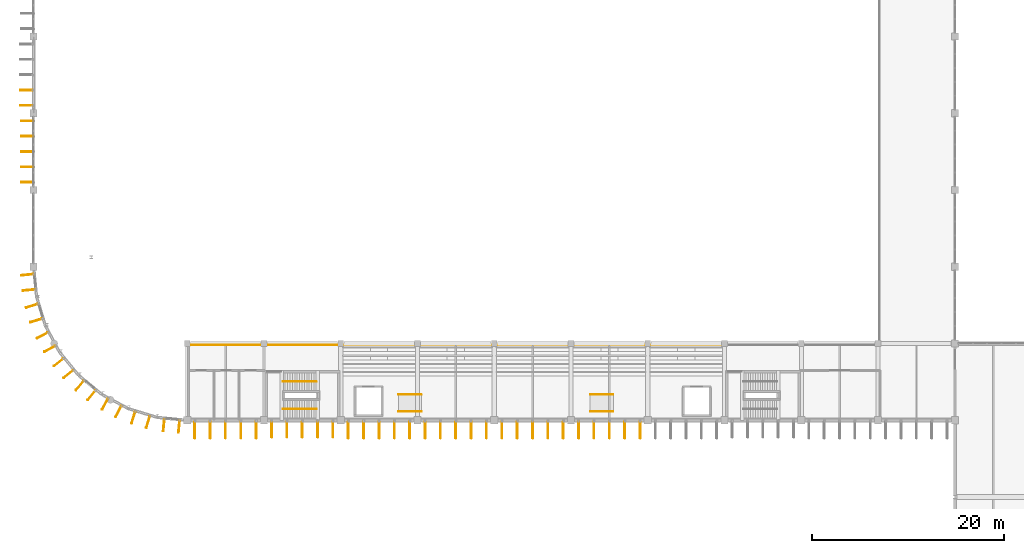
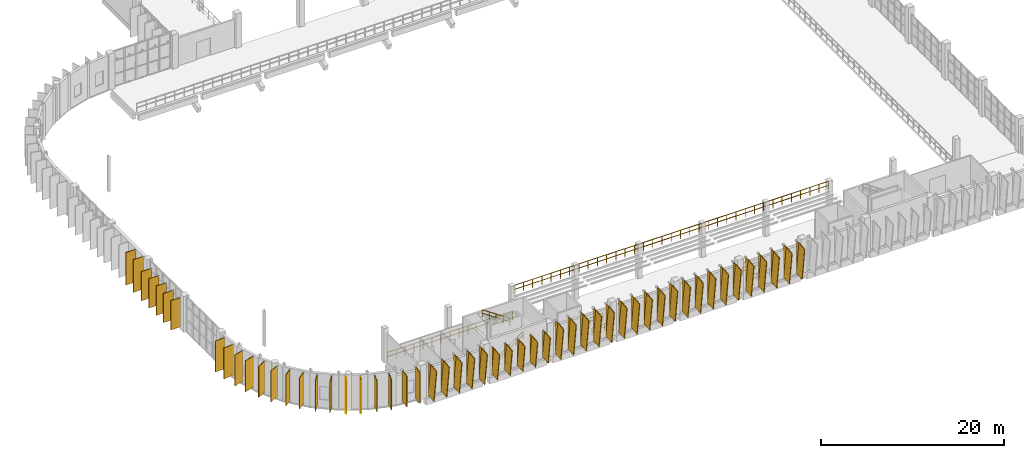
# One storey, part 86 of 93: 53 coverings, 53 shading devices, 8 railings.
"""IFC4 building model written with IfcOpenShell, lengths in metres."""

from ifc_helpers import new_model, si_unit, direction, frame, origin, origin_2d, place, context, subcontext, project, spatial, rectangle, circle, extrude, material, type_object, element, save


model = new_model("IFC4")

# Units and contexts
model_context = context("Model", 3, precision=1e-05, world=origin(), true_north=direction((0.0, 1.0)))
body_context = subcontext(model_context, "Body", "Model", "MODEL_VIEW")
ifc_project = project(units=[si_unit("LENGTHUNIT", "METRE"), si_unit("AREAUNIT", "SQUARE_METRE"), si_unit("VOLUMEUNIT", "CUBIC_METRE"), si_unit("PLANEANGLEUNIT", "RADIAN"), si_unit("MASSUNIT", "GRAM", prefix="KILO")], contexts=[model_context])

# Site, building, storey
site_placement = place(None, origin())
site = spatial("IfcSite", under=ifc_project, at=site_placement, CompositionType="ELEMENT")
building_placement = place(site_placement, origin())
building = spatial("IfcBuilding", under=site, at=building_placement, Name="Drelvana Railside Aquatics Centre", CompositionType="ELEMENT")
storey_placement = place(building_placement, frame((0.0, 0.0, 5.39990234375)))
storey = spatial("IfcBuildingStorey", under=building, at=storey_placement, Name="L01", CompositionType="ELEMENT", Elevation=5.39990234375)

# Coverings
ifc_material_1 = material(Name="Bronze-anodised extruded aluminium 6063-T6", Category="aluminium")
covering_type = type_object("IfcCoveringType", Name="COV-FIN-ALU", PredefinedType="CLADDING", material=ifc_material_1)
for number, where, z_axis, x_axis, name in (
    (1, (16.800048828125, 15.264892578125, 0.0390625), (0.0, -0.13052619222, 0.991444861374), (-1.0, 0.0, 0.0), "Vertical aluminium fin cladding CF-0003"),
    (2, (18.39990234375, 15.264892578125, 0.0390625), (0.0, -0.13052619222, 0.991444861374), (-1.0, 0.0, 0.0), "Vertical aluminium fin cladding CF-0004"),
    (3, (20.0, 15.264892578125, 0.0390625), (0.0, -0.13052619222, 0.991444861374), (-1.0, 0.0, 0.0), "Vertical aluminium fin cladding CF-0005"),
    (4, (21.60009765625, 15.264892578125, 0.0390625), (0.0, -0.13052619222, 0.991444861374), (-1.0, 0.0, 0.0), "Vertical aluminium fin cladding CF-0006"),
    (5, (23.199951171875, 15.264892578125, 0.0390625), (0.0, -0.13052619222, 0.991444861374), (-1.0, 0.0, 0.0), "Vertical aluminium fin cladding CF-0007"),
):
    element("IfcCovering", number, at=place(storey_placement, frame(where, z_axis=z_axis, x_axis=x_axis)), inside=storey, type_object=covering_type, Name=name, PredefinedType="CLADDING", context=body_context, shape_type="SweptSolid", body=[
        extrude(rectangle(XDim=0.0849609375, YDim=1.25, at=origin_2d()), origin(), (0.0, 0.0, 1.0), 4.39990234375),
    ])
for number, where, z_axis, x_axis, name in (
    (6, (24.800048828125, 15.27001953125, 0.11572265625), (0.0, -0.13052619222, 0.991444861374), (-1.0, 0.0, 0.0), "Vertical aluminium fin cladding CF-0018"),
    (7, (26.39990234375, 15.27001953125, 0.11572265625), (0.0, -0.13052619222, 0.991444861374), (-1.0, 0.0, 0.0), "Vertical aluminium fin cladding CF-0019"),
    (8, (28.0, 15.27001953125, 0.11572265625), (0.0, -0.13052619222, 0.991444861374), (-1.0, 0.0, 0.0), "Vertical aluminium fin cladding CF-0020"),
    (9, (29.60009765625, 15.27001953125, 0.11572265625), (0.0, -0.13052619222, 0.991444861374), (-1.0, 0.0, 0.0), "Vertical aluminium fin cladding CF-0021"),
    (10, (31.199951171875, 15.27001953125, 0.11572265625), (0.0, -0.13052619222, 0.991444861374), (-1.0, 0.0, 0.0), "Vertical aluminium fin cladding CF-0022"),
):
    element("IfcCovering", number, at=place(storey_placement, frame(where, z_axis=z_axis, x_axis=x_axis)), inside=storey, type_object=covering_type, Name=name, PredefinedType="CLADDING", context=body_context, shape_type="SweptSolid", body=[
        extrude(rectangle(XDim=0.0849609375, YDim=1.25, at=origin_2d()), origin(), (0.0, 0.0, 1.0), 3.6298828125),
    ])
for number, where, z_axis, x_axis, name in (
    (11, (32.800048828125, 15.264892578125, 0.0390625), (0.0, -0.13052619222, 0.991444861374), (-1.0, 0.0, 0.0), "Vertical aluminium fin cladding CF-0032"),
    (12, (34.39990234375, 15.264892578125, 0.0390625), (0.0, -0.13052619222, 0.991444861374), (-1.0, 0.0, 0.0), "Vertical aluminium fin cladding CF-0033"),
    (13, (36.0, 15.264892578125, 0.0390625), (0.0, -0.13052619222, 0.991444861374), (-1.0, 0.0, 0.0), "Vertical aluminium fin cladding CF-0034"),
    (14, (37.60009765625, 15.264892578125, 0.0390625), (0.0, -0.13052619222, 0.991444861374), (-1.0, 0.0, 0.0), "Vertical aluminium fin cladding CF-0035"),
    (15, (39.199951171875, 15.264892578125, 0.0390625), (0.0, -0.13052619222, 0.991444861374), (-1.0, 0.0, 0.0), "Vertical aluminium fin cladding CF-0036"),
    (16, (40.800048828125, 15.264892578125, 0.0390625), (0.0, -0.13052619222, 0.991444861374), (-1.0, 0.0, 0.0), "Vertical aluminium fin cladding CF-0046"),
    (17, (42.39990234375, 15.264892578125, 0.0390625), (0.0, -0.13052619222, 0.991444861374), (-1.0, 0.0, 0.0), "Vertical aluminium fin cladding CF-0047"),
    (18, (44.0, 15.264892578125, 0.0390625), (0.0, -0.13052619222, 0.991444861374), (-1.0, 0.0, 0.0), "Vertical aluminium fin cladding CF-0048"),
    (19, (45.60009765625, 15.264892578125, 0.0390625), (0.0, -0.13052619222, 0.991444861374), (-1.0, 0.0, 0.0), "Vertical aluminium fin cladding CF-0049"),
    (20, (47.199951171875, 15.264892578125, 0.0390625), (0.0, -0.13052619222, 0.991444861374), (-1.0, 0.0, 0.0), "Vertical aluminium fin cladding CF-0050"),
    (21, (48.800048828125, 15.264892578125, 0.0390625), (0.0, -0.13052619222, 0.991444861374), (-1.0, 0.0, 0.0), "Vertical aluminium fin cladding CF-0062"),
    (22, (50.39990234375, 15.264892578125, 0.0390625), (0.0, -0.13052619222, 0.991444861374), (-1.0, 0.0, 0.0), "Vertical aluminium fin cladding CF-0063"),
    (23, (52.0, 15.264892578125, 0.0390625), (0.0, -0.13052619222, 0.991444861374), (-1.0, 0.0, 0.0), "Vertical aluminium fin cladding CF-0064"),
    (24, (53.60009765625, 15.264892578125, 0.0390625), (0.0, -0.13052619222, 0.991444861374), (-1.0, 0.0, 0.0), "Vertical aluminium fin cladding CF-0065"),
    (25, (55.199951171875, 15.264892578125, 0.0390625), (0.0, -0.13052619222, 0.991444861374), (-1.0, 0.0, 0.0), "Vertical aluminium fin cladding CF-0066"),
    (26, (56.800048828125, 15.264892578125, 0.0390625), (0.0, -0.13052619222, 0.991444861374), (-1.0, 0.0, 0.0), "Vertical aluminium fin cladding CF-0074"),
    (27, (58.39990234375, 15.264892578125, 0.0390625), (0.0, -0.13052619222, 0.991444861374), (-1.0, 0.0, 0.0), "Vertical aluminium fin cladding CF-0075"),
    (28, (60.0, 15.264892578125, 0.0390625), (0.0, -0.13052619222, 0.991444861374), (-1.0, 0.0, 0.0), "Vertical aluminium fin cladding CF-0076"),
    (29, (61.60009765625, 15.264892578125, 0.0390625), (0.0, -0.13052619222, 0.991444861374), (-1.0, 0.0, 0.0), "Vertical aluminium fin cladding CF-0077"),
    (30, (63.199951171875, 15.264892578125, 0.0390625), (0.0, -0.13052619222, 0.991444861374), (-1.0, 0.0, 0.0), "Vertical aluminium fin cladding CF-0078"),
):
    element("IfcCovering", number, at=place(storey_placement, frame(where, z_axis=z_axis, x_axis=x_axis)), inside=storey, type_object=covering_type, Name=name, PredefinedType="CLADDING", context=body_context, shape_type="SweptSolid", body=[
        extrude(rectangle(XDim=0.0849609375, YDim=1.25, at=origin_2d()), origin(), (0.0, 0.0, 1.0), 4.39990234375),
    ])
for number, where, z_axis, x_axis, name in (
    (31, (-0.669921875, 40.800048828125, 0.000244140625), (0.0, 0.0, 1.0), (0.0, 1.0, 0.0), "Vertical aluminium fin cladding CF-0210"),
    (32, (-0.669921875, 42.39990234375, 0.000244140625), (0.0, 0.0, 1.0), (0.0, 1.0, 0.0), "Vertical aluminium fin cladding CF-0211"),
    (33, (-0.669921875, 44.0, 0.000244140625), (0.0, 0.0, 1.0), (0.0, 1.0, 0.0), "Vertical aluminium fin cladding CF-0212"),
    (34, (-0.669921875, 45.60009765625, 0.000244140625), (0.0, 0.0, 1.0), (0.0, 1.0, 0.0), "Vertical aluminium fin cladding CF-0213"),
    (35, (-0.669921875, 47.199951171875, 0.000244140625), (0.0, 0.0, 1.0), (0.0, 1.0, 0.0), "Vertical aluminium fin cladding CF-0214"),
):
    element("IfcCovering", number, at=place(storey_placement, frame(where, z_axis=z_axis, x_axis=x_axis)), inside=storey, type_object=covering_type, Name=name, PredefinedType="CLADDING", context=body_context, shape_type="SweptSolid", body=[
        extrude(rectangle(XDim=0.0849609375, YDim=1.25, at=origin_2d()), origin(), (0.0, 0.0, 1.0), 3.89990234375),
    ])
for number, where, z_axis, x_axis, name in (
    (36, (-0.77490234375, 48.800048828125, 0.199951171875), (0.0, 0.0, 1.0), (0.0, 1.0, 0.0), "Vertical aluminium fin cladding CF-0230"),
    (37, (-0.77490234375, 50.39990234375, 0.199951171875), (0.0, 0.0, 1.0), (0.0, 1.0, 0.0), "Vertical aluminium fin cladding CF-0231"),
):
    element("IfcCovering", number, at=place(storey_placement, frame(where, z_axis=z_axis, x_axis=x_axis)), inside=storey, type_object=covering_type, Name=name, PredefinedType="CLADDING", context=body_context, shape_type="SweptSolid", body=[
        extrude(rectangle(XDim=0.0849609375, YDim=1.25, at=origin_2d()), origin(), (0.0, 0.0, 1.0), 4.35009765625),
    ])
for number, where, z_axis, x_axis, name in (
    (38, (-0.666015625, 31.162353515625, 0.250244140625), (0.0, 0.0, 1.0), (-0.09801714033, 0.995184726672, 0.0), "Vertical aluminium fin cladding CF-0275"),
    (39, (-0.50927734375, 29.570068359375, 0.250244140625), (0.0, 0.0, 1.0), (-0.09801714033, 0.995184726672, 0.0), "Vertical aluminium fin cladding CF-0276"),
    (40, (-0.1826171875, 27.927001953125, 0.250244140625), (0.0, 0.0, 1.0), (-0.290284677254, 0.956940335732, 0.0), "Vertical aluminium fin cladding CF-0283"),
    (41, (0.281982421875, 26.39599609375, 0.250244140625), (0.0, 0.0, 1.0), (-0.290284677254, 0.956940335732, 0.0), "Vertical aluminium fin cladding CF-0284"),
    (42, (0.923095703125, 24.848388671875, 0.250244140625), (0.0, 0.0, 1.0), (-0.471396736826, 0.881921264348, 0.0), "Vertical aluminium fin cladding CF-0291"),
    (43, (1.67724609375, 23.437255859375, 0.250244140625), (0.0, 0.0, 1.0), (-0.471396736826, 0.881921264348, 0.0), "Vertical aluminium fin cladding CF-0292"),
    (44, (2.60791015625, 22.04443359375, 0.250244140625), (0.0, 0.0, 1.0), (-0.634393284164, 0.773010453363, 0.0), "Vertical aluminium fin cladding CF-0299"),
    (45, (3.623046875, 20.8076171875, 0.250244140625), (0.0, 0.0, 1.0), (-0.634393284164, 0.773010453363, 0.0), "Vertical aluminium fin cladding CF-0300"),
    (46, (4.8076171875, 19.623046875, 0.250244140625), (0.0, 0.0, 1.0), (-0.773010453363, 0.634393284164, 0.0), "Vertical aluminium fin cladding CF-0307"),
    (47, (6.04443359375, 18.60791015625, 0.250244140625), (0.0, 0.0, 1.0), (-0.773010453363, 0.634393284164, 0.0), "Vertical aluminium fin cladding CF-0308"),
    (48, (7.437255859375, 17.67724609375, 0.250244140625), (0.0, 0.0, 1.0), (-0.881921264348, 0.471396736826, 0.0), "Vertical aluminium fin cladding CF-0315"),
    (49, (8.848388671875, 16.923095703125, 0.250244140625), (0.0, 0.0, 1.0), (-0.881921264348, 0.471396736826, 0.0), "Vertical aluminium fin cladding CF-0316"),
    (50, (10.39599609375, 16.281982421875, 0.250244140625), (0.0, 0.0, 1.0), (-0.956940335732, 0.290284677254, 0.0), "Vertical aluminium fin cladding CF-0323"),
    (51, (11.927001953125, 15.8173828125, 0.250244140625), (0.0, 0.0, 1.0), (-0.956940335732, 0.290284677254, 0.0), "Vertical aluminium fin cladding CF-0324"),
    (52, (13.570068359375, 15.49072265625, 0.250244140625), (0.0, 0.0, 1.0), (-0.995184726672, 0.09801714033, 0.0), "Vertical aluminium fin cladding CF-0331"),
    (53, (15.162353515625, 15.333984375, 0.250244140625), (0.0, 0.0, 1.0), (-0.995184726672, 0.09801714033, 0.0), "Vertical aluminium fin cladding CF-0332"),
):
    element("IfcCovering", number, at=place(storey_placement, frame(where, z_axis=z_axis, x_axis=x_axis)), inside=storey, type_object=covering_type, Name=name, PredefinedType="CLADDING", context=body_context, shape_type="SweptSolid", body=[
        extrude(rectangle(XDim=0.0849609375, YDim=1.25, at=origin_2d()), origin(), (0.0, 0.0, 1.0), 4.1298828125),
    ])

# Railings
ifc_material_2 = material(Name="Laminated glass and bronze-stainless gallery balustrade", Category="glass")
railing_type_1 = type_object("IfcRailingType", Name="RAL-GALLERY-1150", PredefinedType="BALUSTRADE", material=ifc_material_2)
railing_1_placement = place(storey_placement, frame((16.199951171875, 23.85009765625, 0.0)))
element("IfcRailing", 54, at=railing_1_placement, inside=storey, type_object=railing_type_1, Name="Gallery balustrade 4 (L01)", PredefinedType="BALUSTRADE", context=body_context, shape_type="SweptSolid", body=[
    extrude(circle(Radius=0.02392578125, at=origin_2d()), frame((0.0, 0.0, 1.1259765625), z_axis=(1.0, 0.0, 0.0), x_axis=(0.0, 1.0, 0.0)), (0.0, 0.0, 1.0), 15.800048828125),
    extrude(circle(Radius=0.02392578125, at=origin_2d()), frame((0.0, 0.0, 0.574951171875), z_axis=(1.0, 0.0, 0.0), x_axis=(0.0, 1.0, 0.0)), (0.0, 0.0, 1.0), 15.800048828125),
    extrude(circle(Radius=0.02099609375, at=origin_2d()), origin(), (0.0, 0.0, 1.0), 1.101806640625),
    extrude(circle(Radius=0.02099609375, at=origin_2d()), frame((1.128662109375, 0.0, 0.0)), (0.0, 0.0, 1.0), 1.101806640625),
    extrude(circle(Radius=0.02099609375, at=origin_2d()), frame((2.257080078125, 0.0, 0.0)), (0.0, 0.0, 1.0), 1.101806640625),
    extrude(circle(Radius=0.02099609375, at=origin_2d()), frame((3.3857421875, 0.0, 0.0)), (0.0, 0.0, 1.0), 1.101806640625),
    extrude(circle(Radius=0.02099609375, at=origin_2d()), frame((4.514404296875, 0.0, 0.0)), (0.0, 0.0, 1.0), 1.101806640625),
    extrude(circle(Radius=0.02099609375, at=origin_2d()), frame((5.642822265625, 0.0, 0.0)), (0.0, 0.0, 1.0), 1.101806640625),
    extrude(circle(Radius=0.02099609375, at=origin_2d()), frame((6.771484375, 0.0, 0.0)), (0.0, 0.0, 1.0), 1.101806640625),
    extrude(circle(Radius=0.02099609375, at=origin_2d()), frame((7.89990234375, 0.0, 0.0)), (0.0, 0.0, 1.0), 1.101806640625),
    extrude(circle(Radius=0.02099609375, at=origin_2d()), frame((9.028564453125, 0.0, 0.0)), (0.0, 0.0, 1.0), 1.101806640625),
    extrude(circle(Radius=0.02099609375, at=origin_2d()), frame((10.1572265625, 0.0, 0.0)), (0.0, 0.0, 1.0), 1.101806640625),
    extrude(circle(Radius=0.02099609375, at=origin_2d()), frame((11.28564453125, 0.0, 0.0)), (0.0, 0.0, 1.0), 1.101806640625),
    extrude(circle(Radius=0.02099609375, at=origin_2d()), frame((12.414306640625, 0.0, 0.0)), (0.0, 0.0, 1.0), 1.101806640625),
    extrude(circle(Radius=0.02099609375, at=origin_2d()), frame((13.54296875, 0.0, 0.0)), (0.0, 0.0, 1.0), 1.101806640625),
    extrude(circle(Radius=0.02099609375, at=origin_2d()), frame((14.67138671875, 0.0, 0.0)), (0.0, 0.0, 1.0), 1.101806640625),
    extrude(circle(Radius=0.02099609375, at=origin_2d()), frame((15.800048828125, 0.0, 0.0)), (0.0, 0.0, 1.0), 1.101806640625),
])
railing_2_placement = place(storey_placement, frame((32.199951171875, 23.85009765625, 3.35009765625)))
element("IfcRailing", 55, at=railing_2_placement, inside=storey, type_object=railing_type_1, Name="Gallery balustrade 6 (L01)", PredefinedType="BALUSTRADE", context=body_context, shape_type="SweptSolid", body=[
    extrude(circle(Radius=0.02392578125, at=origin_2d()), frame((0.0, 0.0, 1.1259765625), z_axis=(1.0, 0.0, 0.0), x_axis=(0.0, 1.0, 0.0)), (0.0, 0.0, 1.0), 39.60009765625),
    extrude(circle(Radius=0.02392578125, at=origin_2d()), frame((0.0, 0.0, 0.574951171875), z_axis=(1.0, 0.0, 0.0), x_axis=(0.0, 1.0, 0.0)), (0.0, 0.0, 1.0), 39.60009765625),
    extrude(circle(Radius=0.02099609375, at=origin_2d()), origin(), (0.0, 0.0, 1.0), 1.101806640625),
    extrude(circle(Radius=0.02099609375, at=origin_2d()), frame((1.164794921875, 0.0, 0.0)), (0.0, 0.0, 1.0), 1.101806640625),
    extrude(circle(Radius=0.02099609375, at=origin_2d()), frame((2.329345703125, 0.0, 0.0)), (0.0, 0.0, 1.0), 1.101806640625),
    extrude(circle(Radius=0.02099609375, at=origin_2d()), frame((3.494140625, 0.0, 0.0)), (0.0, 0.0, 1.0), 1.101806640625),
    extrude(circle(Radius=0.02099609375, at=origin_2d()), frame((4.658935546875, 0.0, 0.0)), (0.0, 0.0, 1.0), 1.101806640625),
    extrude(circle(Radius=0.02099609375, at=origin_2d()), frame((5.823486328125, 0.0, 0.0)), (0.0, 0.0, 1.0), 1.101806640625),
    extrude(circle(Radius=0.02099609375, at=origin_2d()), frame((6.98828125, 0.0, 0.0)), (0.0, 0.0, 1.0), 1.101806640625),
    extrude(circle(Radius=0.02099609375, at=origin_2d()), frame((8.153076171875, 0.0, 0.0)), (0.0, 0.0, 1.0), 1.101806640625),
    extrude(circle(Radius=0.02099609375, at=origin_2d()), frame((9.317626953125, 0.0, 0.0)), (0.0, 0.0, 1.0), 1.101806640625),
    extrude(circle(Radius=0.02099609375, at=origin_2d()), frame((10.482421875, 0.0, 0.0)), (0.0, 0.0, 1.0), 1.101806640625),
    extrude(circle(Radius=0.02099609375, at=origin_2d()), frame((11.64697265625, 0.0, 0.0)), (0.0, 0.0, 1.0), 1.101806640625),
    extrude(circle(Radius=0.02099609375, at=origin_2d()), frame((12.811767578125, 0.0, 0.0)), (0.0, 0.0, 1.0), 1.101806640625),
    extrude(circle(Radius=0.02099609375, at=origin_2d()), frame((13.9765625, 0.0, 0.0)), (0.0, 0.0, 1.0), 1.101806640625),
    extrude(circle(Radius=0.02099609375, at=origin_2d()), frame((15.14111328125, 0.0, 0.0)), (0.0, 0.0, 1.0), 1.101806640625),
    extrude(circle(Radius=0.02099609375, at=origin_2d()), frame((16.305908203125, 0.0, 0.0)), (0.0, 0.0, 1.0), 1.101806640625),
    extrude(circle(Radius=0.02099609375, at=origin_2d()), frame((17.470703125, 0.0, 0.0)), (0.0, 0.0, 1.0), 1.101806640625),
    extrude(circle(Radius=0.02099609375, at=origin_2d()), frame((18.63525390625, 0.0, 0.0)), (0.0, 0.0, 1.0), 1.101806640625),
    extrude(circle(Radius=0.02099609375, at=origin_2d()), frame((19.800048828125, 0.0, 0.0)), (0.0, 0.0, 1.0), 1.101806640625),
    extrude(circle(Radius=0.02099609375, at=origin_2d()), frame((20.96484375, 0.0, 0.0)), (0.0, 0.0, 1.0), 1.101806640625),
    extrude(circle(Radius=0.02099609375, at=origin_2d()), frame((22.12939453125, 0.0, 0.0)), (0.0, 0.0, 1.0), 1.101806640625),
    extrude(circle(Radius=0.02099609375, at=origin_2d()), frame((23.294189453125, 0.0, 0.0)), (0.0, 0.0, 1.0), 1.101806640625),
    extrude(circle(Radius=0.02099609375, at=origin_2d()), frame((24.458984375, 0.0, 0.0)), (0.0, 0.0, 1.0), 1.101806640625),
    extrude(circle(Radius=0.02099609375, at=origin_2d()), frame((25.62353515625, 0.0, 0.0)), (0.0, 0.0, 1.0), 1.101806640625),
    extrude(circle(Radius=0.02099609375, at=origin_2d()), frame((26.788330078125, 0.0, 0.0)), (0.0, 0.0, 1.0), 1.101806640625),
    extrude(circle(Radius=0.02099609375, at=origin_2d()), frame((27.953125, 0.0, 0.0)), (0.0, 0.0, 1.0), 1.101806640625),
    extrude(circle(Radius=0.02099609375, at=origin_2d()), frame((29.11767578125, 0.0, 0.0)), (0.0, 0.0, 1.0), 1.101806640625),
    extrude(circle(Radius=0.02099609375, at=origin_2d()), frame((30.282470703125, 0.0, 0.0)), (0.0, 0.0, 1.0), 1.101806640625),
    extrude(circle(Radius=0.02099609375, at=origin_2d()), frame((31.447021484375, 0.0, 0.0)), (0.0, 0.0, 1.0), 1.101806640625),
    extrude(circle(Radius=0.02099609375, at=origin_2d()), frame((32.61181640625, 0.0, 0.0)), (0.0, 0.0, 1.0), 1.101806640625),
    extrude(circle(Radius=0.02099609375, at=origin_2d()), frame((33.776611328125, 0.0, 0.0)), (0.0, 0.0, 1.0), 1.101806640625),
    extrude(circle(Radius=0.02099609375, at=origin_2d()), frame((34.941162109375, 0.0, 0.0)), (0.0, 0.0, 1.0), 1.101806640625),
    extrude(circle(Radius=0.02099609375, at=origin_2d()), frame((36.10595703125, 0.0, 0.0)), (0.0, 0.0, 1.0), 1.101806640625),
    extrude(circle(Radius=0.02099609375, at=origin_2d()), frame((37.270751953125, 0.0, 0.0)), (0.0, 0.0, 1.0), 1.101806640625),
    extrude(circle(Radius=0.02099609375, at=origin_2d()), frame((38.435302734375, 0.0, 0.0)), (0.0, 0.0, 1.0), 1.101806640625),
    extrude(circle(Radius=0.02099609375, at=origin_2d()), frame((39.60009765625, 0.0, 0.0)), (0.0, 0.0, 1.0), 1.101806640625),
])
ifc_material_3 = material(Name="Brushed stainless steel stair pitch handrail", Category="steel")
railing_type_2 = type_object("IfcRailingType", Name="RAL-HANDRAIL-950", PredefinedType="HANDRAIL", material=ifc_material_3)
railing_3_placement = place(storey_placement, frame((25.969970703125, 17.175048828125, 0.0)))
element("IfcRailing", 56, at=railing_3_placement, inside=storey, type_object=railing_type_2, Name="Stair ST-01 flight 1 handrail (L01)", PredefinedType="HANDRAIL", context=body_context, shape_type="SweptSolid", body=[
    extrude(circle(Radius=0.02392578125, at=origin_2d()), frame((0.0, 0.0, 0.92578125), z_axis=(0.824712752785, 0.0, 0.565551832633), x_axis=(0.0, 1.0, 0.0)), (0.0, 0.0, 1.0), 4.243896484375),
    extrude(circle(Radius=0.02392578125, at=origin_2d()), frame((0.0, 0.0, 0.47509765625), z_axis=(0.824712752785, 0.0, 0.565551832633), x_axis=(0.0, 1.0, 0.0)), (0.0, 0.0, 1.0), 4.243896484375),
    extrude(circle(Radius=0.02099609375, at=origin_2d()), origin(), (0.0, 0.0, 1.0), 0.90185546875),
    extrude(circle(Radius=0.02099609375, at=origin_2d()), frame((0.875, 0.0, 0.60009765625)), (0.0, 0.0, 1.0), 0.90185546875),
    extrude(circle(Radius=0.02099609375, at=origin_2d()), frame((1.75, 0.0, 1.2001953125)), (0.0, 0.0, 1.0), 0.90185546875),
    extrude(circle(Radius=0.02099609375, at=origin_2d()), frame((2.625, 0.0, 1.800048828125)), (0.0, 0.0, 1.0), 0.90185546875),
    extrude(circle(Radius=0.02099609375, at=origin_2d()), frame((3.5, 0.0, 2.400146484375)), (0.0, 0.0, 1.0), 0.90185546875),
])
railing_4_placement = place(storey_placement, frame((29.469970703125, 20.02490234375, 2.400146484375)))
element("IfcRailing", 57, at=railing_4_placement, inside=storey, type_object=railing_type_2, Name="Stair ST-01 flight 2 handrail (L01)", PredefinedType="HANDRAIL", context=body_context, shape_type="SweptSolid", body=[
    extrude(circle(Radius=0.02392578125, at=origin_2d()), frame((0.0, 0.0, 0.92578125), z_axis=(-0.824739584531, 0.0, 0.5655127034), x_axis=(0.0, -1.0, 0.0)), (0.0, 0.0, 1.0), 4.24365234375),
    extrude(circle(Radius=0.02392578125, at=origin_2d()), frame((0.0, 0.0, 0.47509765625), z_axis=(-0.824739584531, 0.0, 0.5655127034), x_axis=(0.0, -1.0, 0.0)), (0.0, 0.0, 1.0), 4.24365234375),
    extrude(circle(Radius=0.02099609375, at=origin_2d()), origin(), (0.0, 0.0, 1.0), 0.90185546875),
    extrude(circle(Radius=0.02099609375, at=origin_2d()), frame((-0.875, 0.0, 0.60009765625)), (0.0, 0.0, 1.0), 0.90185546875),
    extrude(circle(Radius=0.02099609375, at=origin_2d()), frame((-1.75, 0.0, 1.199951171875)), (0.0, 0.0, 1.0), 0.90185546875),
    extrude(circle(Radius=0.02099609375, at=origin_2d()), frame((-2.625, 0.0, 1.7998046875)), (0.0, 0.0, 1.0), 0.90185546875),
    extrude(circle(Radius=0.02099609375, at=origin_2d()), frame((-3.5, 0.0, 2.39990234375)), (0.0, 0.0, 1.0), 0.90185546875),
])
for number, where, name in (
    (58, (38.0, 16.919921875, 0.0), "Accessible ramp handrail RMP-WC-CONC-1"),
    (59, (38.0, 18.679931640625, 0.0), "Accessible ramp handrail RMP-WC-CONC-1"),
    (60, (58.0, 16.919921875, 0.0), "Accessible ramp handrail RMP-WC-CONC-2"),
    (61, (58.0, 18.679931640625, 0.0), "Accessible ramp handrail RMP-WC-CONC-2"),
):
    element("IfcRailing", number, at=place(storey_placement, frame(where)), inside=storey, type_object=railing_type_2, Name=name, PredefinedType="HANDRAIL", context=body_context, shape_type="SweptSolid", body=[
        extrude(circle(Radius=0.02392578125, at=origin_2d()), frame((0.0, 0.0, 0.92578125), z_axis=(0.998749803871, 0.0, 0.049988291303), x_axis=(0.0, 1.0, 0.0)), (0.0, 0.0, 1.0), 2.40283203125),
        extrude(circle(Radius=0.02392578125, at=origin_2d()), frame((0.0, 0.0, 0.47509765625), z_axis=(0.998749803871, 0.0, 0.049988291303), x_axis=(0.0, 1.0, 0.0)), (0.0, 0.0, 1.0), 2.40283203125),
        extrude(circle(Radius=0.02099609375, at=origin_2d()), origin(), (0.0, 0.0, 1.0), 0.90185546875),
        extrude(circle(Radius=0.02099609375, at=origin_2d()), frame((0.800048828125, 0.0, 0.0400390625)), (0.0, 0.0, 1.0), 0.90185546875),
        extrude(circle(Radius=0.02099609375, at=origin_2d()), frame((1.599853515625, 0.0, 0.080078125)), (0.0, 0.0, 1.0), 0.90185546875),
        extrude(circle(Radius=0.02099609375, at=origin_2d()), frame((2.39990234375, 0.0, 0.1201171875)), (0.0, 0.0, 1.0), 0.90185546875),
    ])

# Shading devices
shading_device_type = type_object("IfcShadingDeviceType", Name="SHD-FIN-1250", PredefinedType="USERDEFINED", material=ifc_material_1)
for number, where, z_axis, x_axis, name in (
    (62, (16.800048828125, 15.2451171875, 0.020263671875), (0.0, 0.0, 1.0), (0.0, -1.0, 0.0), "Vertical bronze shading fin FN-0003"),
    (63, (18.39990234375, 15.2451171875, 0.020263671875), (0.0, 0.0, 1.0), (0.0, -1.0, 0.0), "Vertical bronze shading fin FN-0004"),
    (64, (20.0, 15.2451171875, 0.020263671875), (0.0, 0.0, 1.0), (0.0, -1.0, 0.0), "Vertical bronze shading fin FN-0005"),
    (65, (21.60009765625, 15.2451171875, 0.020263671875), (0.0, 0.0, 1.0), (0.0, -1.0, 0.0), "Vertical bronze shading fin FN-0006"),
    (66, (23.199951171875, 15.2451171875, 0.020263671875), (0.0, 0.0, 1.0), (0.0, -1.0, 0.0), "Vertical bronze shading fin FN-0007"),
):
    element("IfcShadingDevice", number, at=place(storey_placement, frame(where, z_axis=z_axis, x_axis=x_axis)), inside=storey, type_object=shading_device_type, Name=name, ObjectType="FIN", PredefinedType="USERDEFINED", context=body_context, shape_type="SweptSolid", body=[
        extrude(rectangle(XDim=1.25, YDim=0.06494140625, at=origin_2d()), origin(), (0.0, 0.0, 1.0), 4.39990234375),
    ])
for number, where, z_axis, x_axis, name in (
    (67, (24.800048828125, 15.25, 0.10009765625), (0.0, 0.0, 1.0), (0.0, -1.0, 0.0), "Vertical bronze shading fin FN-0018"),
    (68, (26.39990234375, 15.25, 0.10009765625), (0.0, 0.0, 1.0), (0.0, -1.0, 0.0), "Vertical bronze shading fin FN-0019"),
    (69, (28.0, 15.25, 0.10009765625), (0.0, 0.0, 1.0), (0.0, -1.0, 0.0), "Vertical bronze shading fin FN-0020"),
    (70, (29.60009765625, 15.25, 0.10009765625), (0.0, 0.0, 1.0), (0.0, -1.0, 0.0), "Vertical bronze shading fin FN-0021"),
    (71, (31.199951171875, 15.25, 0.10009765625), (0.0, 0.0, 1.0), (0.0, -1.0, 0.0), "Vertical bronze shading fin FN-0022"),
):
    element("IfcShadingDevice", number, at=place(storey_placement, frame(where, z_axis=z_axis, x_axis=x_axis)), inside=storey, type_object=shading_device_type, Name=name, ObjectType="FIN", PredefinedType="USERDEFINED", context=body_context, shape_type="SweptSolid", body=[
        extrude(rectangle(XDim=1.25, YDim=0.06494140625, at=origin_2d()), origin(), (0.0, 0.0, 1.0), 3.6298828125),
    ])
for number, where, z_axis, x_axis, name in (
    (72, (32.800048828125, 15.2451171875, 0.020263671875), (0.0, 0.0, 1.0), (0.0, -1.0, 0.0), "Vertical bronze shading fin FN-0032"),
    (73, (34.39990234375, 15.2451171875, 0.020263671875), (0.0, 0.0, 1.0), (0.0, -1.0, 0.0), "Vertical bronze shading fin FN-0033"),
    (74, (36.0, 15.2451171875, 0.020263671875), (0.0, 0.0, 1.0), (0.0, -1.0, 0.0), "Vertical bronze shading fin FN-0034"),
    (75, (37.60009765625, 15.2451171875, 0.020263671875), (0.0, 0.0, 1.0), (0.0, -1.0, 0.0), "Vertical bronze shading fin FN-0035"),
    (76, (39.199951171875, 15.2451171875, 0.020263671875), (0.0, 0.0, 1.0), (0.0, -1.0, 0.0), "Vertical bronze shading fin FN-0036"),
    (77, (40.800048828125, 15.2451171875, 0.020263671875), (0.0, 0.0, 1.0), (0.0, -1.0, 0.0), "Vertical bronze shading fin FN-0046"),
    (78, (42.39990234375, 15.2451171875, 0.020263671875), (0.0, 0.0, 1.0), (0.0, -1.0, 0.0), "Vertical bronze shading fin FN-0047"),
    (79, (44.0, 15.2451171875, 0.020263671875), (0.0, 0.0, 1.0), (0.0, -1.0, 0.0), "Vertical bronze shading fin FN-0048"),
    (80, (45.60009765625, 15.2451171875, 0.020263671875), (0.0, 0.0, 1.0), (0.0, -1.0, 0.0), "Vertical bronze shading fin FN-0049"),
    (81, (47.199951171875, 15.2451171875, 0.020263671875), (0.0, 0.0, 1.0), (0.0, -1.0, 0.0), "Vertical bronze shading fin FN-0050"),
    (82, (48.800048828125, 15.2451171875, 0.020263671875), (0.0, 0.0, 1.0), (0.0, -1.0, 0.0), "Vertical bronze shading fin FN-0062"),
    (83, (50.39990234375, 15.2451171875, 0.020263671875), (0.0, 0.0, 1.0), (0.0, -1.0, 0.0), "Vertical bronze shading fin FN-0063"),
    (84, (52.0, 15.2451171875, 0.020263671875), (0.0, 0.0, 1.0), (0.0, -1.0, 0.0), "Vertical bronze shading fin FN-0064"),
    (85, (53.60009765625, 15.2451171875, 0.020263671875), (0.0, 0.0, 1.0), (0.0, -1.0, 0.0), "Vertical bronze shading fin FN-0065"),
    (86, (55.199951171875, 15.2451171875, 0.020263671875), (0.0, 0.0, 1.0), (0.0, -1.0, 0.0), "Vertical bronze shading fin FN-0066"),
    (87, (56.800048828125, 15.2451171875, 0.020263671875), (0.0, 0.0, 1.0), (0.0, -1.0, 0.0), "Vertical bronze shading fin FN-0074"),
    (88, (58.39990234375, 15.2451171875, 0.020263671875), (0.0, 0.0, 1.0), (0.0, -1.0, 0.0), "Vertical bronze shading fin FN-0075"),
    (89, (60.0, 15.2451171875, 0.020263671875), (0.0, 0.0, 1.0), (0.0, -1.0, 0.0), "Vertical bronze shading fin FN-0076"),
    (90, (61.60009765625, 15.2451171875, 0.020263671875), (0.0, 0.0, 1.0), (0.0, -1.0, 0.0), "Vertical bronze shading fin FN-0077"),
    (91, (63.199951171875, 15.2451171875, 0.020263671875), (0.0, 0.0, 1.0), (0.0, -1.0, 0.0), "Vertical bronze shading fin FN-0078"),
):
    element("IfcShadingDevice", number, at=place(storey_placement, frame(where, z_axis=z_axis, x_axis=x_axis)), inside=storey, type_object=shading_device_type, Name=name, ObjectType="FIN", PredefinedType="USERDEFINED", context=body_context, shape_type="SweptSolid", body=[
        extrude(rectangle(XDim=1.25, YDim=0.06494140625, at=origin_2d()), origin(), (0.0, 0.0, 1.0), 4.39990234375),
    ])
for number, where, z_axis, x_axis, name in (
    (92, (-0.68994140625, 40.800048828125, 0.000244140625), (0.0, 0.0, 1.0), (-1.0, 0.0, 0.0), "Vertical bronze shading fin FN-0217"),
    (93, (-0.68994140625, 42.39990234375, 0.000244140625), (0.0, 0.0, 1.0), (-1.0, 0.0, 0.0), "Vertical bronze shading fin FN-0218"),
    (94, (-0.68994140625, 44.0, 0.000244140625), (0.0, 0.0, 1.0), (-1.0, 0.0, 0.0), "Vertical bronze shading fin FN-0219"),
    (95, (-0.68994140625, 45.60009765625, 0.000244140625), (0.0, 0.0, 1.0), (-1.0, 0.0, 0.0), "Vertical bronze shading fin FN-0220"),
    (96, (-0.68994140625, 47.199951171875, 0.000244140625), (0.0, 0.0, 1.0), (-1.0, 0.0, 0.0), "Vertical bronze shading fin FN-0221"),
):
    element("IfcShadingDevice", number, at=place(storey_placement, frame(where, z_axis=z_axis, x_axis=x_axis)), inside=storey, type_object=shading_device_type, Name=name, ObjectType="FIN", PredefinedType="USERDEFINED", context=body_context, shape_type="SweptSolid", body=[
        extrude(rectangle(XDim=1.25, YDim=0.06494140625, at=origin_2d()), origin(), (0.0, 0.0, 1.0), 3.89990234375),
    ])
for number, where, z_axis, x_axis, name in (
    (97, (-0.794921875, 48.800048828125, 0.199951171875), (0.0, 0.0, 1.0), (-1.0, 0.0, 0.0), "Vertical bronze shading fin FN-0237"),
    (98, (-0.794921875, 50.39990234375, 0.199951171875), (0.0, 0.0, 1.0), (-1.0, 0.0, 0.0), "Vertical bronze shading fin FN-0238"),
):
    element("IfcShadingDevice", number, at=place(storey_placement, frame(where, z_axis=z_axis, x_axis=x_axis)), inside=storey, type_object=shading_device_type, Name=name, ObjectType="FIN", PredefinedType="USERDEFINED", context=body_context, shape_type="SweptSolid", body=[
        extrude(rectangle(XDim=1.25, YDim=0.06494140625, at=origin_2d()), origin(), (0.0, 0.0, 1.0), 4.35009765625),
    ])
for number, where, z_axis, x_axis, name in (
    (99, (-0.68603515625, 31.160400390625, 0.250244140625), (0.0, 0.0, 1.0), (-0.995184726672, -0.09801714033, 0.0), "Vertical bronze shading fin FN-0282"),
    (100, (-0.529296875, 29.568115234375, 0.250244140625), (0.0, 0.0, 1.0), (-0.995184726672, -0.09801714033, 0.0), "Vertical bronze shading fin FN-0283"),
    (101, (-0.20166015625, 27.92138671875, 0.250244140625), (0.0, 0.0, 1.0), (-0.956940335732, -0.290284677254, 0.0), "Vertical bronze shading fin FN-0290"),
    (102, (0.2626953125, 26.39013671875, 0.250244140625), (0.0, 0.0, 1.0), (-0.956940335732, -0.290284677254, 0.0), "Vertical bronze shading fin FN-0291"),
    (103, (0.905517578125, 24.8388671875, 0.250244140625), (0.0, 0.0, 1.0), (-0.881921264348, -0.471396736826, 0.0), "Vertical bronze shading fin FN-0298"),
    (104, (1.65966796875, 23.427734375, 0.250244140625), (0.0, 0.0, 1.0), (-0.881921264348, -0.471396736826, 0.0), "Vertical bronze shading fin FN-0299"),
    (105, (2.592529296875, 22.03173828125, 0.250244140625), (0.0, 0.0, 1.0), (-0.773010453363, -0.634393284164, 0.0), "Vertical bronze shading fin FN-0306"),
    (106, (3.607666015625, 20.794921875, 0.250244140625), (0.0, 0.0, 1.0), (-0.773010453363, -0.634393284164, 0.0), "Vertical bronze shading fin FN-0307"),
    (107, (4.794921875, 19.607666015625, 0.250244140625), (0.0, 0.0, 1.0), (-0.634393284164, -0.773010453363, 0.0), "Vertical bronze shading fin FN-0314"),
    (108, (6.03173828125, 18.592529296875, 0.250244140625), (0.0, 0.0, 1.0), (-0.634393284164, -0.773010453363, 0.0), "Vertical bronze shading fin FN-0315"),
    (109, (7.427734375, 17.65966796875, 0.250244140625), (0.0, 0.0, 1.0), (-0.471396736826, -0.881921264348, 0.0), "Vertical bronze shading fin FN-0322"),
    (110, (8.8388671875, 16.905517578125, 0.250244140625), (0.0, 0.0, 1.0), (-0.471396736826, -0.881921264348, 0.0), "Vertical bronze shading fin FN-0323"),
    (111, (10.39013671875, 16.2626953125, 0.250244140625), (0.0, 0.0, 1.0), (-0.290284677254, -0.956940335732, 0.0), "Vertical bronze shading fin FN-0330"),
    (112, (11.92138671875, 15.79833984375, 0.250244140625), (0.0, 0.0, 1.0), (-0.290284677254, -0.956940335732, 0.0), "Vertical bronze shading fin FN-0331"),
    (113, (13.568115234375, 15.470703125, 0.250244140625), (0.0, 0.0, 1.0), (-0.09801714033, -0.995184726672, 0.0), "Vertical bronze shading fin FN-0338"),
    (114, (15.160400390625, 15.31396484375, 0.250244140625), (0.0, 0.0, 1.0), (-0.09801714033, -0.995184726672, 0.0), "Vertical bronze shading fin FN-0339"),
):
    element("IfcShadingDevice", number, at=place(storey_placement, frame(where, z_axis=z_axis, x_axis=x_axis)), inside=storey, type_object=shading_device_type, Name=name, ObjectType="FIN", PredefinedType="USERDEFINED", context=body_context, shape_type="SweptSolid", body=[
        extrude(rectangle(XDim=1.25, YDim=0.06494140625, at=origin_2d()), origin(), (0.0, 0.0, 1.0), 4.1298828125),
    ])

save(model, "model.ifc")
